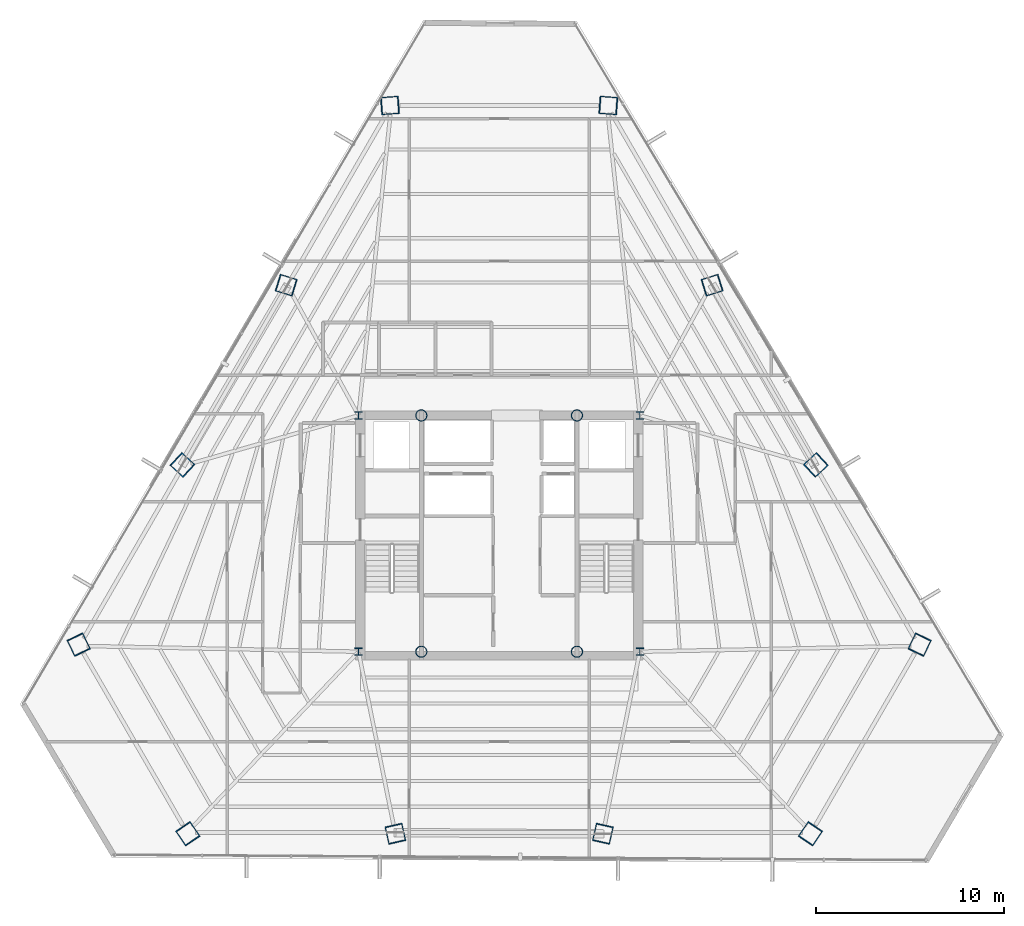
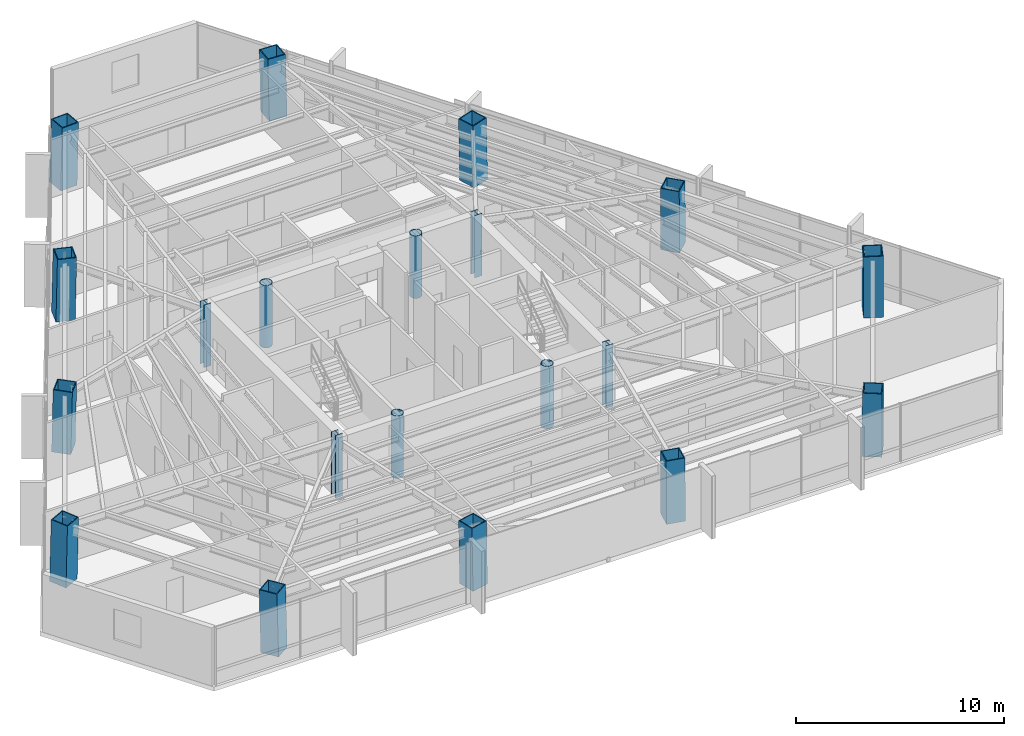
# One storey, part 1 of 41: 20 columns.
"""IFC4 building model written with IfcOpenShell, lengths in metres."""

import ifcopenshell
import ifcopenshell.guid

model = None  # the IFC model being written
_history = None  # IfcOwnerHistory: only IFC2X3 demands one
_inside = {}  # id of a spatial element -> (the spatial element, [elements in it])
_under = {}  # id of a project, library or spatial element -> (it, [spatial elements below it])
_declared = {}  # id of a project -> (the project, [libraries it declares])
_typed = {}  # id of a type object -> (the type object, [elements of that type])
_made_of = {}  # id of a material, layer set ... -> (it, [elements and type objects made of it])


def new_model(schema):
    """Start an empty IFC model of exactly this schema.

    Asked for "IFC4X3", IfcOpenShell would pick the latest addendum, in which some entities
    have other attributes; the version numbers below select the first issue.
    IFC2X3 requires an IfcOwnerHistory on every rooted entity: one is made here for all.
    """
    global model, _history
    if schema == "IFC4X3":
        model = ifcopenshell.file(schema_version=(4, 3, 0, 0))
    else:
        model = ifcopenshell.file(schema=schema)
    _inside.clear()
    _under.clear()
    _declared.clear()
    _typed.clear()
    _made_of.clear()
    _history = None
    if model.schema == "IFC2X3":
        org = make("IfcOrganization", Name="unknown")
        user = make(
            "IfcPersonAndOrganization",
            ThePerson=make("IfcPerson", FamilyName="unknown"),
            TheOrganization=org,
        )
        app = make(
            "IfcApplication",
            ApplicationDeveloper=org,
            Version="unknown",
            ApplicationFullName="unknown",
            ApplicationIdentifier="unknown",
        )
        _history = make(
            "IfcOwnerHistory",
            OwningUser=user,
            OwningApplication=app,
            ChangeAction="ADDED",
            CreationDate=0,
        )
    return model


def make(cls, **values):
    """One entity of the class cls with the attributes given. An attribute that is None is left unset."""
    return model.create_entity(
        cls, **{name: value for name, value in values.items() if value is not None}
    )


def rooted(cls, **values):
    """An entity with a GlobalId (a new one), such as an element, a storey or a relation."""
    return make(cls, GlobalId=ifcopenshell.guid.new(), OwnerHistory=_history, **values)


def si_unit(unit_type, name, prefix=None):
    """IfcSIUnit, for example si_unit("LENGTHUNIT", "METRE", prefix="MILLI")."""
    return make("IfcSIUnit", UnitType=unit_type, Prefix=prefix, Name=name)


def assignment(units):
    """IfcUnitAssignment: the units of a project."""
    return None if units is None else make("IfcUnitAssignment", Units=units)


def point(xyz):
    """IfcCartesianPoint."""
    return None if xyz is None else make("IfcCartesianPoint", Coordinates=xyz)


def direction(xyz):
    """IfcDirection."""
    return None if xyz is None else make("IfcDirection", DirectionRatios=xyz)


def frame(location, z_axis=None, x_axis=None):
    """IfcAxis2Placement3D, a coordinate frame: its origin and axes. An axis left out is left unset."""
    return make(
        "IfcAxis2Placement3D",
        Location=point(location),
        Axis=direction(z_axis),
        RefDirection=direction(x_axis),
    )


def frame_2d(location, x_axis=None):
    """IfcAxis2Placement2D, a coordinate frame in the plane: its origin and x axis."""
    return make(
        "IfcAxis2Placement2D", Location=point(location), RefDirection=direction(x_axis)
    )


def origin():
    """The frame at (0, 0, 0) with its axes left unset."""
    return frame((0.0, 0.0, 0.0))


def origin_2d():
    """The frame at (0, 0) in the plane with its x axis left unset."""
    return frame_2d((0.0, 0.0))


def place(relative_to, where):
    """IfcLocalPlacement: puts the frame where relative to a parent placement (None: the world)."""
    return make(
        "IfcLocalPlacement", PlacementRelTo=relative_to, RelativePlacement=where
    )


def context(
    kind, dimensions, precision=None, world=None, true_north=None, identifier=None
):
    """IfcGeometricRepresentationContext, for example the 3D "Model" context."""
    return make(
        "IfcGeometricRepresentationContext",
        ContextIdentifier=identifier,
        ContextType=kind,
        CoordinateSpaceDimension=dimensions,
        Precision=precision,
        WorldCoordinateSystem=world,
        TrueNorth=true_north,
    )


def subcontext(parent, identifier, kind, view, scale=None):
    """IfcGeometricRepresentationSubContext, for example "Body" below "Model"."""
    return make(
        "IfcGeometricRepresentationSubContext",
        ContextIdentifier=identifier,
        ContextType=kind,
        ParentContext=parent,
        TargetScale=scale,
        TargetView=view,
    )


def project(units=None, contexts=None):
    """IfcProject with its units and contexts."""
    return rooted(
        "IfcProject",
        Name="project",
        RepresentationContexts=contexts,
        UnitsInContext=assignment(units),
    )


def spatial(cls, under=None, at=None, **own):
    """A site, building, storey or space (cls), placed at a placement, below another one or the project."""
    s = rooted(cls, ObjectPlacement=at, **own)
    if under is not None:
        _under.setdefault(under.id(), (under, []))[1].append(s)
    return s


def profile(cls, at=None, kind="AREA", **sizes):
    """A parametric profile (cls). Its sizes go by their IFC names, for example OverallWidth=200.0."""
    return make(cls, ProfileType=kind, Position=at, **sizes)


def hollow_rectangle(**sizes):
    """IfcRectangleHollowProfileDef."""
    return profile("IfcRectangleHollowProfileDef", **sizes)


def hollow_circle(**sizes):
    """IfcCircleHollowProfileDef."""
    return profile("IfcCircleHollowProfileDef", **sizes)


def i_section(**sizes):
    """IfcIShapeProfileDef."""
    return profile("IfcIShapeProfileDef", **sizes)


def extrude(swept, where, along, depth):
    """IfcExtrudedAreaSolid: the profile swept, set in the frame where, extruded along a direction by depth."""
    return make(
        "IfcExtrudedAreaSolid",
        SweptArea=swept,
        Position=where,
        ExtrudedDirection=direction(along),
        Depth=depth,
    )


def shape(context_of_items, identifier, shape_type, items):
    """IfcShapeRepresentation: the items that make up one representation, for example the "Body"."""
    return make(
        "IfcShapeRepresentation",
        ContextOfItems=context_of_items,
        RepresentationIdentifier=identifier,
        RepresentationType=shape_type,
        Items=items,
    )


def source(mapping_origin, context_of_items, identifier, shape_type, items):
    """IfcRepresentationMap: a shape defined once, which mapped items show again and again."""
    return make(
        "IfcRepresentationMap",
        MappingOrigin=mapping_origin,
        MappedRepresentation=shape(context_of_items, identifier, shape_type, items),
    )


def transform(
    local_origin,
    x_axis=None,
    y_axis=None,
    z_axis=None,
    scale=None,
    scale2=None,
    scale3=None,
    uniform=True,
):
    """IfcCartesianTransformationOperator3D, or its non-uniform kind. x_axis, y_axis, z_axis: its Axis1, 2, 3."""
    if uniform:
        return make(
            "IfcCartesianTransformationOperator3D",
            Axis1=direction(x_axis),
            Axis2=direction(y_axis),
            LocalOrigin=point(local_origin),
            Scale=scale,
            Axis3=direction(z_axis),
        )
    return make(
        "IfcCartesianTransformationOperator3DnonUniform",
        Axis1=direction(x_axis),
        Axis2=direction(y_axis),
        LocalOrigin=point(local_origin),
        Scale=scale,
        Axis3=direction(z_axis),
        Scale2=scale2,
        Scale3=scale3,
    )


def mapped(mapping_source, mapping_target):
    """IfcMappedItem: shows the shape of a source again, moved by a transform."""
    return make(
        "IfcMappedItem", MappingSource=mapping_source, MappingTarget=mapping_target
    )


def material(Name=None, Category=None):
    """IfcMaterial."""
    return make("IfcMaterial", Name=Name, Category=Category)


def material_profile(
    of_material, cross_section, Name=None, Category=None, Priority=None
):
    """IfcMaterialProfile: a cross section and its material."""
    return make(
        "IfcMaterialProfile",
        Name=Name,
        Material=of_material,
        Profile=cross_section,
        Priority=Priority,
        Category=Category,
    )


def profile_set(profiles, Name=None, composite=None):
    """IfcMaterialProfileSet."""
    return make(
        "IfcMaterialProfileSet",
        Name=Name,
        MaterialProfiles=profiles,
        CompositeProfile=composite,
    )


def made_of(thing, what):
    """Note that an element or type object is made of a material, layer set ...; save() writes the relation."""
    if what is not None:
        _made_of.setdefault(what.id(), (what, []))[1].append(thing)
    return thing


def type_object(cls, material=None, **own):
    """A type object (cls), such as IfcWallType, which elements share."""
    return made_of(rooted(cls, **own), material)


def type_shapes(of_type, sources):
    """Give a type object the sources (RepresentationMaps) that its elements show as mapped items."""
    of_type.RepresentationMaps = sources


def element(
    cls,
    number,
    at=None,
    inside=None,
    cuts=None,
    type_object=None,
    material=None,
    context=None,
    identifier="Body",
    shape_type=None,
    held_by="IfcProductDefinitionShape",
    body=None,
    shapes=None,
    **own,
):
    """One element of the class cls, such as IfcWall. Its Tag is "e" and its number.

    at: its placement. inside: the storey or other place that contains it. cuts: it is an
    opening in that element (IfcRelVoidsElement). A single representation is given by context,
    identifier, shape_type and body (its items); several are given by shapes. held_by: the class
    of the entity that holds the representations. save() writes the other relations.
    """
    e = rooted(cls, Tag="e%d" % number, ObjectPlacement=at, **own)
    if body is not None:
        shapes = [shape(context, identifier, shape_type, body)]
    if shapes is not None:
        e.Representation = make(held_by, Representations=shapes)
    if inside is not None:
        _inside.setdefault(inside.id(), (inside, []))[1].append(e)
    if cuts is not None:
        rooted(
            "IfcRelVoidsElement", RelatingBuildingElement=cuts, RelatedOpeningElement=e
        )
    if type_object is not None:
        _typed.setdefault(type_object.id(), (type_object, []))[1].append(e)
    return made_of(e, material)


def aggregate(whole, parts):
    """IfcRelAggregates: a whole, such as a stair, and the parts it consists of."""
    return rooted("IfcRelAggregates", RelatingObject=whole, RelatedObjects=parts)


def save(model, path):
    """Write the relations noted so far, then the file.

    IfcRelAggregates (storeys below a building ...), IfcRelContainedInSpatialStructure (elements
    in a storey), IfcRelDefinesByType, IfcRelAssociatesMaterial and IfcRelDeclares: one each for
    every whole, place, type object, material and project.
    """
    for whole, parts in _under.values():
        aggregate(whole, parts)
    for where, things in _inside.values():
        rooted(
            "IfcRelContainedInSpatialStructure",
            RelatedElements=things,
            RelatingStructure=where,
        )
    for kind, things in _typed.values():
        rooted("IfcRelDefinesByType", RelatedObjects=things, RelatingType=kind)
    for what, things in _made_of.values():
        rooted("IfcRelAssociatesMaterial", RelatedObjects=things, RelatingMaterial=what)
    for by, libraries in _declared.values():
        rooted("IfcRelDeclares", RelatingContext=by, RelatedDefinitions=libraries)
    model.write(path)


model = new_model("IFC4")

# Units and contexts
model_context = context("Model", 3, precision=1e-05, world=origin(), true_north=direction((0.0, 1.0)))
body_context = subcontext(model_context, "Body", "Model", "MODEL_VIEW")
ifc_project = project(units=[si_unit("LENGTHUNIT", "METRE"), si_unit("AREAUNIT", "SQUARE_METRE"), si_unit("VOLUMEUNIT", "CUBIC_METRE"), si_unit("PLANEANGLEUNIT", "RADIAN"), si_unit("MASSUNIT", "GRAM", prefix="KILO")], contexts=[model_context])

# Site, building, storey
site_placement = place(None, origin())
site = spatial("IfcSite", under=ifc_project, at=site_placement, CompositionType="ELEMENT")
building_placement = place(site_placement, origin())
building = spatial("IfcBuilding", under=site, at=building_placement, Name="Caelisora Broadcast Tower", CompositionType="ELEMENT")
storey_placement = place(building_placement, frame((0.0, 0.0, 173.10009765625)))
storey = spatial("IfcBuildingStorey", under=building, at=storey_placement, Name="L45", CompositionType="ELEMENT", Elevation=173.10009765625)

# Columns
ifc_material_1 = material(Name="Steel Grade 350 (AS/NZS 3679.2)", Category="steel")
ifc_material_profile_1 = material_profile(ifc_material_1, i_section(OverallWidth=0.39990234375, OverallDepth=0.39990234375, WebThickness=0.02001953125, FlangeThickness=0.031982421875, at=origin_2d()), Name="Steel Grade 350 (AS/NZS 3679.2)")
ifc_profile_set_1 = profile_set([ifc_material_profile_1], Name="Steel Grade 350 (AS/NZS 3679.2)")
column_type_1 = type_object("IfcColumnType", Name="CC02", PredefinedType="COLUMN", material=ifc_profile_set_1)
shared_shape_1 = source(origin(), body_context, "Body", "SweptSolid", [
    extrude(i_section(OverallWidth=0.39990234375, OverallDepth=0.39990234375, WebThickness=0.02001953125, FlangeThickness=0.031982421875, at=origin_2d()), origin(), (0.0, 0.0, 1.0), 3.64990234375),
])
type_shapes(column_type_1, [shared_shape_1])
for number, where, z_axis, x_axis, name in (
    (1, (30.5, 17.39990234375, 0.0), (0.0, 0.0, 1.0), (1.0, 0.0, 0.0), "L45 column CC02"),
    (2, (45.5, 17.39990234375, 0.0), (0.0, 0.0, 1.0), (1.0, 0.0, 0.0), "L45 column CC02"),
    (3, (45.5, 30.0, 0.0), (0.0, 0.0, 1.0), (1.0, 0.0, 0.0), "L45 column CC02"),
    (4, (30.5, 30.0, 0.0), (0.0, 0.0, 1.0), (1.0, 0.0, 0.0), "L45 column CC02"),
):
    element("IfcColumn", number, at=place(storey_placement, frame(where, z_axis=z_axis, x_axis=x_axis)), inside=storey, type_object=column_type_1, Name=name, PredefinedType="COLUMN", context=body_context, shape_type="MappedRepresentation", body=[
        mapped(shared_shape_1, transform((0.0, 0.0, 0.0), scale=1.0)),
    ])
ifc_material_2 = material(Name="Steel Grade 350 L15 (AS/NZS 3678)", Category="steel")
ifc_material_profile_2 = material_profile(ifc_material_2, hollow_circle(Radius=0.304931640625, WallThickness=0.02490234375, at=origin_2d()), Name="Steel Grade 350 L15 (AS/NZS 3678)")
ifc_profile_set_2 = profile_set([ifc_material_profile_2], Name="Steel Grade 350 L15 (AS/NZS 3678)")
column_type_2 = type_object("IfcColumnType", Name="CC06", PredefinedType="COLUMN", material=ifc_profile_set_2)
shared_shape_2 = source(origin(), body_context, "Body", "SweptSolid", [
    extrude(hollow_circle(Radius=0.304931640625, WallThickness=0.02490234375, at=origin_2d()), origin(), (0.0, 0.0, 1.0), 3.64990234375),
])
type_shapes(column_type_2, [shared_shape_2])
for number, where, z_axis, x_axis, name in (
    (5, (33.85009765625, 17.39990234375, 0.0), (0.0, 0.0, 1.0), (1.0, 0.0, 0.0), "L45 column CC06"),
    (6, (42.14990234375, 17.39990234375, 0.0), (0.0, 0.0, 1.0), (1.0, 0.0, 0.0), "L45 column CC06"),
    (7, (33.85009765625, 30.0, 0.0), (0.0, 0.0, 1.0), (1.0, 0.0, 0.0), "L45 column CC06"),
    (8, (42.14990234375, 30.0, 0.0), (0.0, 0.0, 1.0), (1.0, 0.0, 0.0), "L45 column CC06"),
):
    element("IfcColumn", number, at=place(storey_placement, frame(where, z_axis=z_axis, x_axis=x_axis)), inside=storey, type_object=column_type_2, Name=name, PredefinedType="COLUMN", context=body_context, shape_type="MappedRepresentation", body=[
        mapped(shared_shape_2, transform((0.0, 0.0, 0.0), scale=1.0)),
    ])
ifc_material_profile_3 = material_profile(ifc_material_2, hollow_rectangle(XDim=0.949951171875, YDim=0.949951171875, WallThickness=0.050048828125, at=origin_2d()), Name="Steel Grade 350 L15 (AS/NZS 3678)")
ifc_profile_set_3 = profile_set([ifc_material_profile_3], Name="Steel Grade 350 L15 (AS/NZS 3678)")
column_type_3 = type_object("IfcColumnType", Name="MC04", PredefinedType="COLUMN", material=ifc_profile_set_3)
shared_shape_3 = source(origin(), body_context, "Body", "SweptSolid", [
    extrude(hollow_rectangle(XDim=0.949951171875, YDim=0.949951171875, WallThickness=0.050048828125, at=origin_2d()), origin(), (0.0, 0.0, 1.0), 3.65087890625),
])
for number, where, z_axis, x_axis, name in (
    (9, (43.835693359375, 46.528076171875, 0.0), (-0.023805924479, 0.001738634934, 0.999715086966), (-0.072839705548, -0.997343660578, 0.0), "L45 column MC04"),
    (10, (32.164306640625, 46.528076171875, 0.0), (0.023805924479, 0.001738634934, 0.999715086966), (-0.072839705548, 0.997343660578, 0.0), "L45 column MC04"),
    (11, (15.572265625, 17.7900390625, 0.0), (0.010364917199, -0.021599150033, 0.999712981415), (0.901566609123, 0.432640323264, 0.0), "L45 column MC04"),
    (12, (21.407958984375, 7.681884765625, 0.0), (-0.013440949448, 0.019860507394, 0.999712409208), (-0.828169210203, -0.560478152359, 0.0), "L45 column MC04"),
    (13, (54.592041015625, 7.681884765625, 0.0), (0.013440949448, 0.019860507394, 0.999712409208), (-0.828169210203, 0.560478152359, 0.0), "L45 column MC04"),
    (14, (60.427734375, 17.7900390625, 0.0), (-0.010364917199, -0.021599150033, 0.999712981415), (0.901566609123, -0.432640323264, 0.0), "L45 column MC04"),
):
    element("IfcColumn", number, at=place(storey_placement, frame(where, z_axis=z_axis, x_axis=x_axis)), inside=storey, type_object=column_type_3, Name=name, PredefinedType="COLUMN", context=body_context, shape_type="MappedRepresentation", body=[
        mapped(shared_shape_3, transform((0.0, 0.0, 0.0), scale=1.0)),
    ])
shared_shape_4 = source(origin(), body_context, "Body", "SweptSolid", [
    extrude(hollow_rectangle(XDim=0.949951171875, YDim=0.949951171875, WallThickness=0.050048828125, at=origin_2d()), origin(), (0.0, 0.0, 1.0), 3.650634765625),
])
type_shapes(column_type_3, [shared_shape_3, shared_shape_4])
for number, where, z_axis, x_axis, name in (
    (15, (26.633544921875, 36.94873046875, 0.0), (0.019393993486, -0.006018825565, 0.999793802119), (0.296399214872, 0.955064136811, 0.0), "L45 column MC04"),
    (16, (21.102783203125, 27.369384765625, 0.0), (0.014913313399, -0.013776424037, 0.999793880369), (0.678553674548, 0.734550822447, 0.0), "L45 column MC04"),
    (17, (32.46923828125, 7.681884765625, 0.0), (-0.004480676264, 0.019862102244, 0.999792688728), (-0.975486508487, -0.220059246022, 0.0), "L45 column MC04"),
    (18, (43.53076171875, 7.681884765625, 0.0), (0.004480676264, 0.019862102244, 0.999792688728), (-0.975486508487, 0.220059246022, 0.0), "L45 column MC04"),
    (19, (54.897216796875, 27.369384765625, 0.0), (-0.014913313399, -0.013776424037, 0.999793880369), (0.678553674548, -0.734550822447, 0.0), "L45 column MC04"),
    (20, (49.366455078125, 36.94873046875, 0.0), (-0.019393993486, -0.006018825565, 0.999793802119), (0.296399214872, -0.955064136811, 0.0), "L45 column MC04"),
):
    element("IfcColumn", number, at=place(storey_placement, frame(where, z_axis=z_axis, x_axis=x_axis)), inside=storey, type_object=column_type_3, Name=name, PredefinedType="COLUMN", context=body_context, shape_type="MappedRepresentation", body=[
        mapped(shared_shape_4, transform((0.0, 0.0, 0.0), scale=1.0)),
    ])

save(model, "model.ifc")
